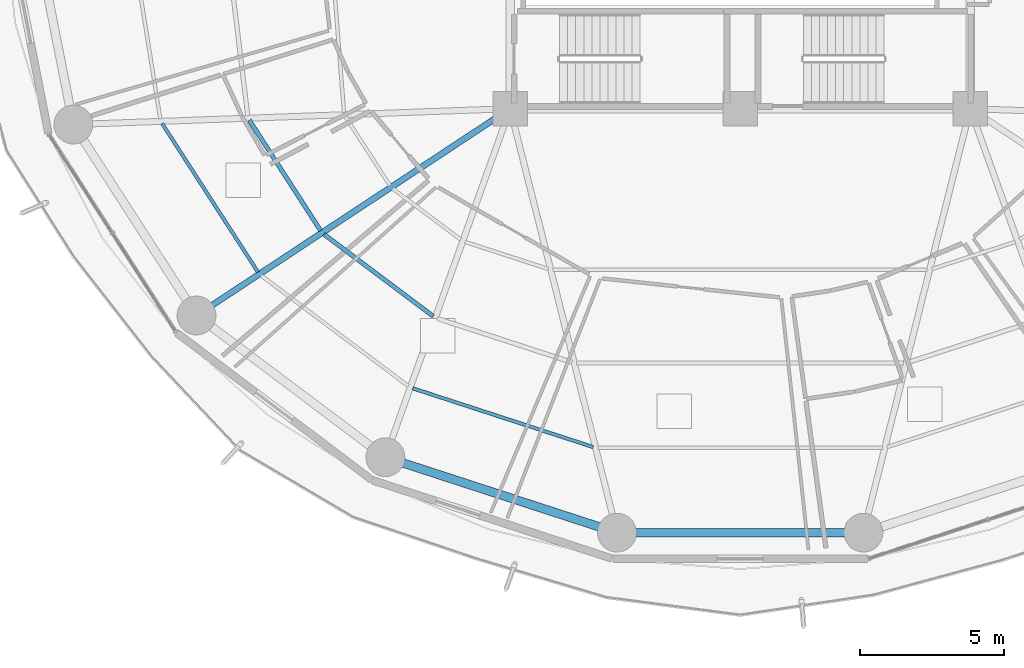
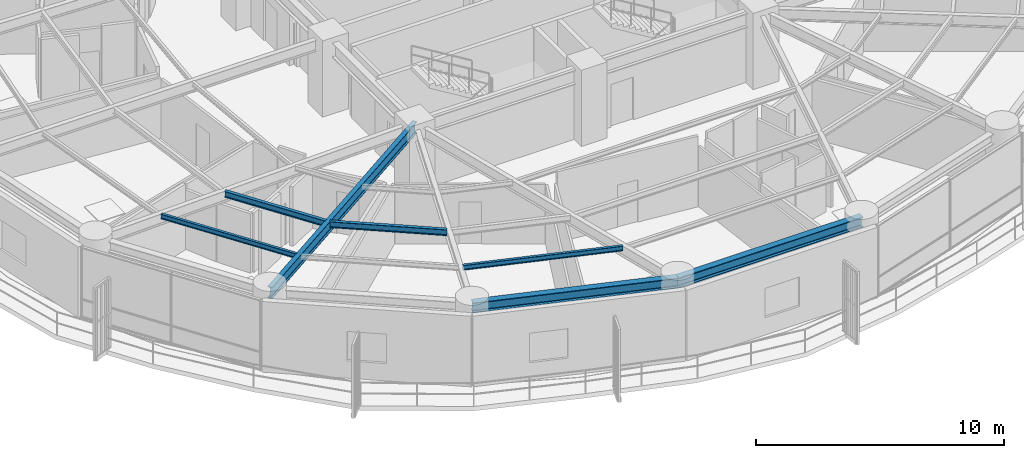
# One storey, part 3 of 37: 7 beams.
"""IFC4 building model written with IfcOpenShell, lengths in metres."""

from ifc_helpers import new_model, si_unit, direction, frame, origin, origin_2d, place, context, subcontext, project, spatial, i_section, extrude, material, material_profile, profile_set, type_object, element, save


model = new_model("IFC4")

# Units and contexts
model_context = context("Model", 3, precision=1e-05, world=origin(), true_north=direction((0.0, 1.0)))
body_context = subcontext(model_context, "Body", "Model", "MODEL_VIEW")
ifc_project = project(units=[si_unit("LENGTHUNIT", "METRE"), si_unit("AREAUNIT", "SQUARE_METRE"), si_unit("VOLUMEUNIT", "CUBIC_METRE"), si_unit("PLANEANGLEUNIT", "RADIAN"), si_unit("MASSUNIT", "GRAM", prefix="KILO")], contexts=[model_context])

# Site, building, storey
site_placement = place(None, origin())
site = spatial("IfcSite", under=ifc_project, at=site_placement, CompositionType="ELEMENT")
building_placement = place(site_placement, origin())
building = spatial("IfcBuilding", under=site, at=building_placement, Name="Kelanora Arch Commons", CompositionType="ELEMENT")
storey_placement = place(building_placement, frame((0.0, 0.0, 113.85009765625)))
storey = spatial("IfcBuildingStorey", under=building, at=storey_placement, Name="L29", CompositionType="ELEMENT", Elevation=113.85009765625)

# Beams
ifc_material = material(Name="Steel S355", Category="steel")
ifc_material_profile_1 = material_profile(ifc_material, i_section(OverallWidth=0.14990234375, OverallDepth=0.300048828125, WebThickness=0.007080078125, FlangeThickness=0.0107421875, FilletRadius=0.014892578125, at=origin_2d()), Name="IPE300")
ifc_profile_set_1 = profile_set([ifc_material_profile_1], Name="Steel S355")
beam_type_1 = type_object("IfcBeamType", Name="BM-JST-01", PredefinedType="JOIST", material=ifc_profile_set_1)
beam_1_placement = place(storey_placement, frame((56.93115234375, 50.597412109375, 3.33984375), z_axis=(0.542230243286, -0.840229946661, 0.0), x_axis=(0.840229946661, 0.542230243286, 0.0)))
element("IfcBeam", 1, at=beam_1_placement, inside=storey, type_object=beam_type_1, Name="Secondary Chord Joist BJB-20 L29", PredefinedType="JOIST", context=body_context, shape_type="SweptSolid", body=[
    extrude(i_section(OverallWidth=0.14990234375, OverallDepth=0.300048828125, WebThickness=0.007080078125, FlangeThickness=0.0107421875, FilletRadius=0.014892578125, at=origin_2d()), origin(), (0.0, 0.0, 1.0), 4.572265625),
])
beam_2_placement = place(storey_placement, frame((59.5244140625, 46.63330078125, 3.33984375), z_axis=(0.79971039107, -0.600385951214, 0.0), x_axis=(0.600385951214, 0.79971039107, 0.0)))
element("IfcBeam", 2, at=beam_2_placement, inside=storey, type_object=beam_type_1, Name="Secondary Chord Joist BJB-22 L29", PredefinedType="JOIST", context=body_context, shape_type="SweptSolid", body=[
    extrude(i_section(OverallWidth=0.14990234375, OverallDepth=0.300048828125, WebThickness=0.007080078125, FlangeThickness=0.0107421875, FilletRadius=0.014892578125, at=origin_2d()), origin(), (0.0, 0.0, 1.0), 4.756103515625),
])
ifc_material_profile_2 = material_profile(ifc_material, i_section(OverallWidth=0.1201171875, OverallDepth=0.239990234375, WebThickness=0.006103515625, FlangeThickness=0.009765625, FilletRadius=0.014892578125, at=origin_2d()), Name="IPE240")
ifc_profile_set_2 = profile_set([ifc_material_profile_2], Name="Steel S355")
beam_type_2 = type_object("IfcBeamType", Name="BM-JST-02", PredefinedType="JOIST", material=ifc_profile_set_2)
beam_3_placement = place(storey_placement, frame((53.892822265625, 50.487060546875, 3.369873046875), z_axis=(0.542212726273, -0.840241250754, 0.0), x_axis=(0.840241250754, 0.542212726273, 0.0)))
element("IfcBeam", 3, at=beam_3_placement, inside=storey, type_object=beam_type_2, Name="Secondary Chord Joist BJC-20 L29", PredefinedType="JOIST", context=body_context, shape_type="SweptSolid", body=[
    extrude(i_section(OverallWidth=0.1201171875, OverallDepth=0.239990234375, WebThickness=0.006103515625, FlangeThickness=0.009765625, FilletRadius=0.014892578125, at=origin_2d()), origin(), (0.0, 0.0, 1.0), 6.15283203125),
])
beam_4_placement = place(storey_placement, frame((62.60888671875, 41.276123046875, 3.369873046875), z_axis=(0.950862829272, -0.309612467301, 0.0), x_axis=(0.309612467301, 0.950862829272, 0.0)))
element("IfcBeam", 4, at=beam_4_placement, inside=storey, type_object=beam_type_2, Name="Secondary Chord Joist BJC-24 L29", PredefinedType="JOIST", context=body_context, shape_type="SweptSolid", body=[
    extrude(i_section(OverallWidth=0.1201171875, OverallDepth=0.239990234375, WebThickness=0.006103515625, FlangeThickness=0.009765625, FilletRadius=0.014892578125, at=origin_2d()), origin(), (0.0, 0.0, 1.0), 6.6064453125),
])
ifc_material_profile_3 = material_profile(ifc_material, i_section(OverallWidth=0.2099609375, OverallDepth=0.550048828125, WebThickness=0.010986328125, FlangeThickness=0.01708984375, FilletRadius=0.02392578125, at=origin_2d()), Name="IPE550")
ifc_profile_set_3 = profile_set([ifc_material_profile_3], Name="Steel S355")
beam_type_3 = type_object("IfcBeamType", Name="BM-RAD-Z2", PredefinedType="BEAM", material=ifc_profile_set_3)
beam_5_placement = place(storey_placement, frame((66.0, 51.0, 3.21484375), z_axis=(-0.834788577908, -0.550570640512, 0.0), x_axis=(0.550570640512, -0.834788577908, 0.0)))
element("IfcBeam", 5, at=beam_5_placement, inside=storey, type_object=beam_type_3, Name="Radial Floor Girder BR-22 L29", PredefinedType="BEAM", context=body_context, shape_type="SweptSolid", body=[
    extrude(i_section(OverallWidth=0.2099609375, OverallDepth=0.550048828125, WebThickness=0.010986328125, FlangeThickness=0.01708984375, FilletRadius=0.02392578125, at=origin_2d()), origin(), (0.0, 0.0, 1.0), 13.064453125),
])
ifc_material_profile_4 = material_profile(ifc_material, i_section(OverallWidth=0.300048828125, OverallDepth=0.5, WebThickness=0.014404296875, FlangeThickness=0.028076171875, FilletRadius=0.027099609375, at=origin_2d()), Name="HEB500")
ifc_profile_set_4 = profile_set([ifc_material_profile_4], Name="Steel S355")
beam_type_4 = type_object("IfcBeamType", Name="BM-SPN-Z2", PredefinedType="SPANDREL", material=ifc_profile_set_4)
beam_6_placement = place(storey_placement, frame((61.659912109375, 38.878173828125, 3.239990234375), z_axis=(0.950856631974, -0.309631499418, 0.0), x_axis=(0.309631499418, 0.950856631974, 0.0)))
element("IfcBeam", 6, at=beam_6_placement, inside=storey, type_object=beam_type_4, Name="Perimeter Spandrel Beam BS-24 L29", PredefinedType="SPANDREL", context=body_context, shape_type="SweptSolid", body=[
    extrude(i_section(OverallWidth=0.300048828125, OverallDepth=0.5, WebThickness=0.014404296875, FlangeThickness=0.028076171875, FilletRadius=0.027099609375, at=origin_2d()), origin(), (0.0, 0.0, 1.0), 8.470703125),
])
beam_7_placement = place(storey_placement, frame((69.71435546875, 36.25537109375, 3.239990234375), z_axis=(1.0, 0.0, 0.0), x_axis=(0.0, 1.0, 0.0)))
element("IfcBeam", 7, at=beam_7_placement, inside=storey, type_object=beam_type_4, Name="Perimeter Spandrel Beam BS-26 L29", PredefinedType="SPANDREL", context=body_context, shape_type="SweptSolid", body=[
    extrude(i_section(OverallWidth=0.300048828125, OverallDepth=0.5, WebThickness=0.014404296875, FlangeThickness=0.028076171875, FilletRadius=0.027099609375, at=origin_2d()), origin(), (0.0, 0.0, 1.0), 8.5712890625),
])

save(model, "model.ifc")
